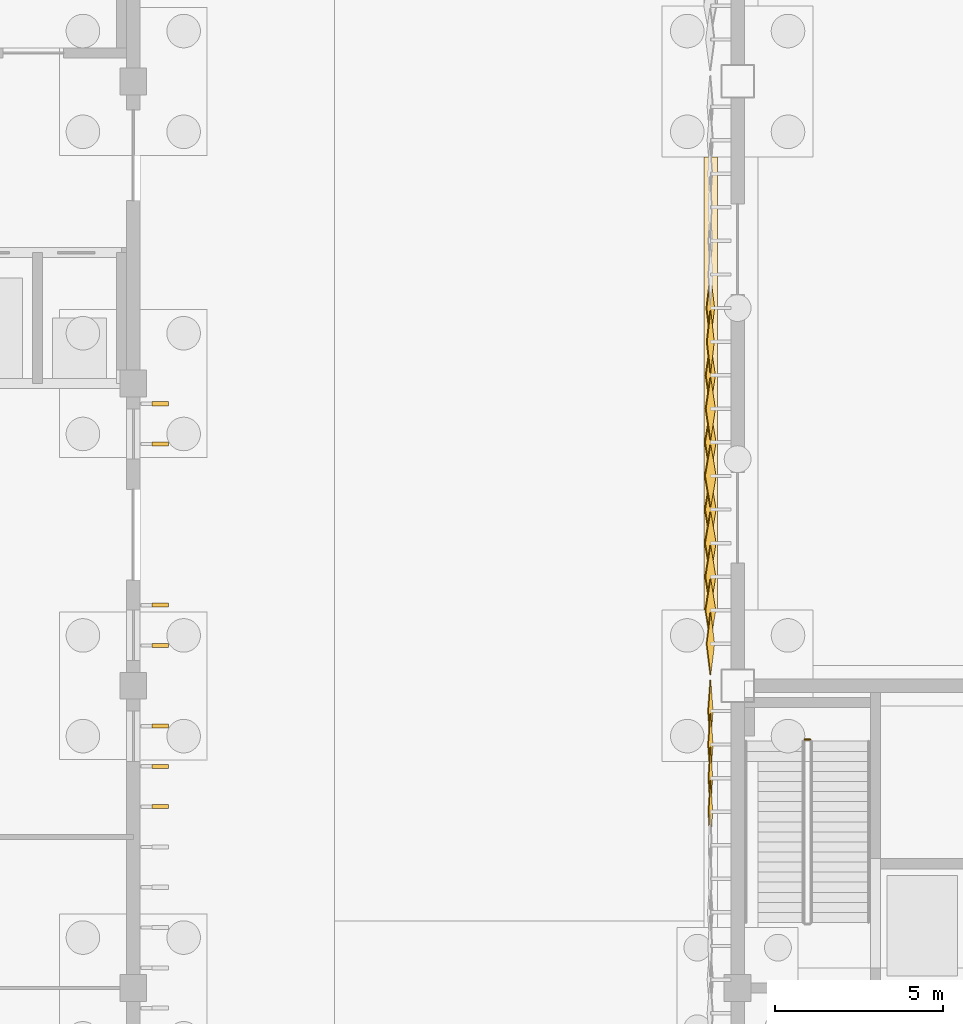
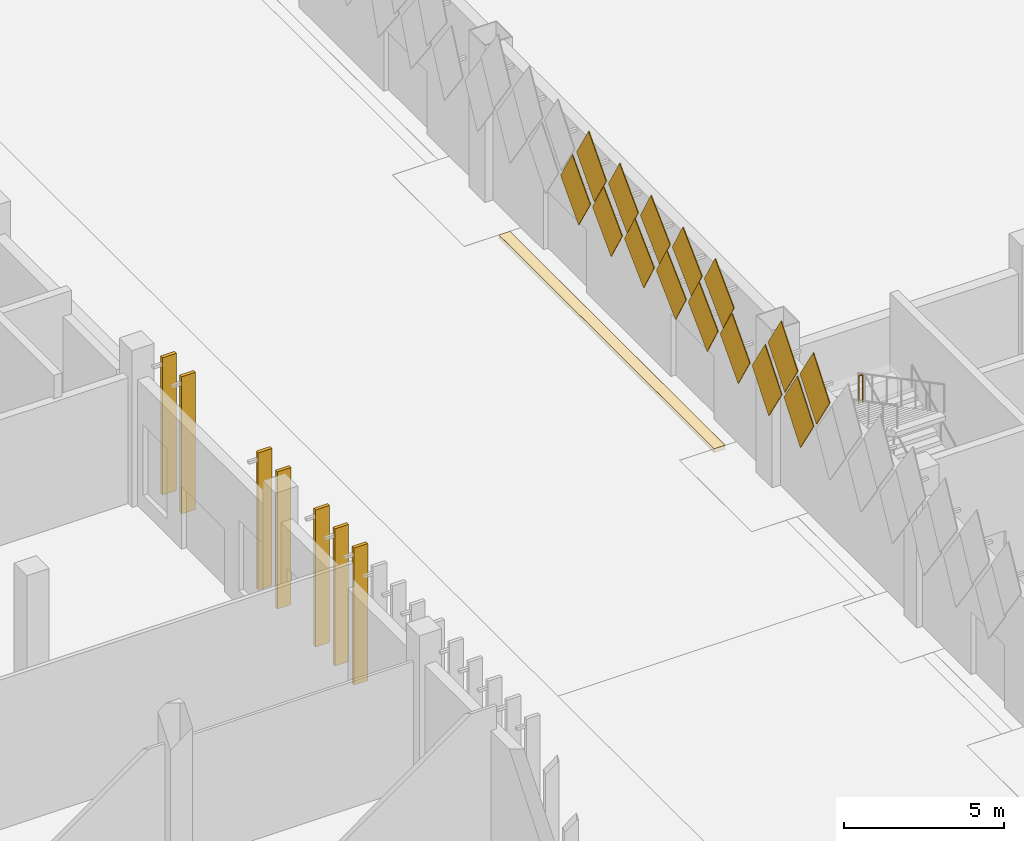
# One storey, part 150 of 198: 23 coverings, 1 railing.
"""IFC4 building model written with IfcOpenShell, lengths in metres."""

from ifc_helpers import new_model, si_unit, direction, frame, origin, origin_2d, place, context, subcontext, project, spatial, polyline, rectangle, circle, outline, extrude, material, layer, layer_set, constituent, constituent_set, material_profile, profile_set, type_object, element, save


model = new_model("IFC4")

# Units and contexts
model_context = context("Model", 3, precision=1e-05, world=origin(), true_north=direction((0.0, 1.0)))
body_context = subcontext(model_context, "Body", "Model", "MODEL_VIEW")
ifc_project = project(units=[si_unit("LENGTHUNIT", "METRE"), si_unit("AREAUNIT", "SQUARE_METRE"), si_unit("VOLUMEUNIT", "CUBIC_METRE"), si_unit("PLANEANGLEUNIT", "RADIAN"), si_unit("MASSUNIT", "GRAM", prefix="KILO")], contexts=[model_context])

# Site, building, storey
site_placement = place(None, origin())
site = spatial("IfcSite", under=ifc_project, at=site_placement, CompositionType="ELEMENT")
building_placement = place(site_placement, origin())
building = spatial("IfcBuilding", under=site, at=building_placement, Name="Opaline Strait Convention Centre", CompositionType="ELEMENT")
storey_placement = place(building_placement, origin())
storey = spatial("IfcBuildingStorey", under=building, at=storey_placement, Name="L00", CompositionType="ELEMENT", Elevation=0.0)

# Coverings
ifc_material_1 = material(Name="White ceramic-faced aluminium tile", Category="aluminium")
ifc_material_profile_1 = material_profile(ifc_material_1, outline(polyline([(0.927978515625, 0.0), (0.0, 1.39208984375), (-0.927978515625, 0.0), (0.0, -1.39208984375), (0.927978515625, 0.0)])), Name="Diamond tile 1856x2784")
ifc_profile_set_1 = profile_set([ifc_material_profile_1], Name="White ceramic-faced aluminium tile")
covering_type_1 = type_object("IfcCoveringType", Name="Diamond wall tile 1856x2784x30 pivot 2 deg", PredefinedType="CLADDING", material=ifc_profile_set_1)
for number, where, z_axis, x_axis, name in (
    (1, (98.199951171875, 69.25, 4.39208984375), (-0.999174794796, 0.0, -0.040616861577), (0.0, -1.0, 0.0), "Wall tile XT04 W"),
    (2, (98.199951171875, 68.25, 5.89208984375), (-0.999174794796, 0.0, -0.040616861577), (0.0, -1.0, 0.0), "Wall tile XT04 W"),
):
    element("IfcCovering", number, at=place(storey_placement, frame(where, z_axis=z_axis, x_axis=x_axis)), inside=storey, type_object=covering_type_1, Name=name, PredefinedType="CLADDING", context=body_context, shape_type="SweptSolid", body=[
        extrude(outline(polyline([(0.927978515625, 0.0), (0.0, 1.39208984375), (-0.927978515625, 0.0), (0.0, -1.39208984375), (0.927978515625, 0.0)])), origin(), (0.0, 0.0, 1.0), 0.030029296875),
    ])
ifc_material_profile_2 = material_profile(ifc_material_1, outline(polyline([(0.927978515625, 0.0), (0.0, 1.39208984375), (-0.927978515625, 0.0), (0.0, -1.39208984375), (0.927978515625, 0.0)])), Name="Diamond tile 1856x2784")
ifc_profile_set_2 = profile_set([ifc_material_profile_2], Name="White ceramic-faced aluminium tile")
covering_type_2 = type_object("IfcCoveringType", Name="Diamond wall tile 1856x2784x30 pivot 2.5 deg", PredefinedType="CLADDING", material=ifc_profile_set_2)
for number, where, z_axis, x_axis, name in (
    (3, (98.199951171875, 71.25, 4.39208984375), (-0.998812351125, 0.0, -0.048722553713), (0.0, -1.0, 0.0), "Wall tile XT05 W"),
    (4, (98.199951171875, 70.25, 5.89208984375), (-0.998812351125, 0.0, -0.048722553713), (0.0, -1.0, 0.0), "Wall tile XT05 W"),
):
    element("IfcCovering", number, at=place(storey_placement, frame(where, z_axis=z_axis, x_axis=x_axis)), inside=storey, type_object=covering_type_2, Name=name, PredefinedType="CLADDING", context=body_context, shape_type="SweptSolid", body=[
        extrude(outline(polyline([(0.927978515625, 0.0), (0.0, 1.39208984375), (-0.927978515625, 0.0), (0.0, -1.39208984375), (0.927978515625, 0.0)])), origin(), (0.0, 0.0, 1.0), 0.030029296875),
    ])
ifc_material_profile_3 = material_profile(ifc_material_1, outline(polyline([(0.927978515625, 0.0), (0.0, 1.39208984375), (-0.927978515625, 0.0), (0.0, -1.39208984375), (0.927978515625, 0.0)])), Name="Diamond tile 1856x2784")
ifc_profile_set_3 = profile_set([ifc_material_profile_3], Name="White ceramic-faced aluminium tile")
covering_type_3 = type_object("IfcCoveringType", Name="Diamond wall tile 1856x2784x30 pivot 4 deg", PredefinedType="CLADDING", material=ifc_profile_set_3)
covering_1_placement = place(storey_placement, frame((98.199951171875, 82.25, 5.89208984375), z_axis=(-0.997290013252, 0.0, -0.073570574748), x_axis=(0.0, -1.0, 0.0)))
element("IfcCovering", 5, at=covering_1_placement, inside=storey, type_object=covering_type_3, Name="Wall tile XT08 W", PredefinedType="CLADDING", context=body_context, shape_type="SweptSolid", body=[
    extrude(outline(polyline([(0.927978515625, 0.0), (0.0, 1.39208984375), (-0.927978515625, 0.0), (0.0, -1.39208984375), (0.927978515625, 0.0)])), origin(), (0.0, 0.0, 1.0), 0.02978515625),
])
ifc_material_profile_4 = material_profile(ifc_material_1, outline(polyline([(0.927978515625, 0.0), (0.0, 1.39208984375), (-0.927978515625, 0.0), (0.0, -1.39208984375), (0.927978515625, 0.0)])), Name="Diamond tile 1856x2784")
ifc_profile_set_4 = profile_set([ifc_material_profile_4], Name="White ceramic-faced aluminium tile")
covering_type_4 = type_object("IfcCoveringType", Name="Diamond wall tile 1856x2784x30 pivot 4.5 deg", PredefinedType="CLADDING", material=ifc_profile_set_4)
for number, where, z_axis, x_axis, name in (
    (6, (98.199951171875, 83.25, 4.39208984375), (-0.996657521232, 0.0, -0.081693239445), (0.0, -1.0, 0.0), "Wall tile XT09 W"),
    (7, (98.199951171875, 73.25, 4.39208984375), (-0.996657521232, 0.0, -0.081693239445), (0.0, -1.0, 0.0), "Wall tile XT09 W"),
):
    element("IfcCovering", number, at=place(storey_placement, frame(where, z_axis=z_axis, x_axis=x_axis)), inside=storey, type_object=covering_type_4, Name=name, PredefinedType="CLADDING", context=body_context, shape_type="SweptSolid", body=[
        extrude(outline(polyline([(0.927978515625, 0.0), (0.0, 1.39208984375), (-0.927978515625, 0.0), (0.0, -1.39208984375), (0.927978515625, 0.0)])), origin(), (0.0, 0.0, 1.0), 0.02978515625),
    ])
ifc_material_profile_5 = material_profile(ifc_material_1, outline(polyline([(0.927978515625, 0.0), (0.0, 1.39208984375), (-0.927978515625, 0.0), (0.0, -1.39208984375), (0.927978515625, 0.0)])), Name="Diamond tile 1856x2784")
ifc_profile_set_5 = profile_set([ifc_material_profile_5], Name="White ceramic-faced aluminium tile")
covering_type_5 = type_object("IfcCoveringType", Name="Diamond wall tile 1856x2784x30 pivot 5.5 deg", PredefinedType="CLADDING", material=ifc_profile_set_5)
for number, where, z_axis, x_axis, name in (
    (8, (98.199951171875, 81.25, 4.39208984375), (-0.995197410875, 0.0, -0.097888269922), (0.0, -1.0, 0.0), "Wall tile XT11 W"),
    (9, (98.199951171875, 80.25, 5.89208984375), (-0.995197410875, 0.0, -0.097888269922), (0.0, -1.0, 0.0), "Wall tile XT11 W"),
):
    element("IfcCovering", number, at=place(storey_placement, frame(where, z_axis=z_axis, x_axis=x_axis)), inside=storey, type_object=covering_type_5, Name=name, PredefinedType="CLADDING", context=body_context, shape_type="SweptSolid", body=[
        extrude(outline(polyline([(0.927978515625, 0.0), (0.0, 1.39208984375), (-0.927978515625, 0.0), (0.0, -1.39208984375), (0.927978515625, 0.0)])), origin(), (0.0, 0.0, 1.0), 0.030029296875),
    ])
ifc_material_profile_6 = material_profile(ifc_material_1, outline(polyline([(0.927978515625, 0.0), (0.0, 1.39208984375), (-0.927978515625, 0.0), (0.0, -1.39208984375), (0.927978515625, 0.0)])), Name="Diamond tile 1856x2784")
ifc_profile_set_6 = profile_set([ifc_material_profile_6], Name="White ceramic-faced aluminium tile")
covering_type_6 = type_object("IfcCoveringType", Name="Diamond wall tile 1856x2784x30 pivot 6 deg", PredefinedType="CLADDING", material=ifc_profile_set_6)
for number, where, z_axis, x_axis, name in (
    (10, (98.199951171875, 75.25, 4.39208984375), (-0.994370656274, 0.0, -0.105957528947), (0.0, -1.0, 0.0), "Wall tile XT12 W"),
    (11, (98.199951171875, 74.25, 5.89208984375), (-0.994370656274, 0.0, -0.105957528947), (0.0, -1.0, 0.0), "Wall tile XT12 W"),
):
    element("IfcCovering", number, at=place(storey_placement, frame(where, z_axis=z_axis, x_axis=x_axis)), inside=storey, type_object=covering_type_6, Name=name, PredefinedType="CLADDING", context=body_context, shape_type="SweptSolid", body=[
        extrude(outline(polyline([(0.927978515625, 0.0), (0.0, 1.39208984375), (-0.927978515625, 0.0), (0.0, -1.39208984375), (0.927978515625, 0.0)])), origin(), (0.0, 0.0, 1.0), 0.030029296875),
    ])
ifc_material_profile_7 = material_profile(ifc_material_1, outline(polyline([(0.927978515625, 0.0), (0.0, 1.39208984375), (-0.927978515625, 0.0), (0.0, -1.39208984375), (0.927978515625, 0.0)])), Name="Diamond tile 1856x2784")
ifc_profile_set_7 = profile_set([ifc_material_profile_7], Name="White ceramic-faced aluminium tile")
covering_type_7 = type_object("IfcCoveringType", Name="Diamond wall tile 1856x2784x30 pivot 6.5 deg", PredefinedType="CLADDING", material=ifc_profile_set_7)
for number, where, z_axis, x_axis, name in (
    (12, (98.199951171875, 79.25, 4.39208984375), (-0.993480071526, 0.0, -0.114005909847), (0.0, -1.0, 0.0), "Wall tile XT13 W"),
    (13, (98.199951171875, 77.25, 4.39208984375), (-0.993480071526, 0.0, -0.114005909847), (0.0, -1.0, 0.0), "Wall tile XT13 W"),
    (14, (98.199951171875, 78.25, 5.89208984375), (-0.993480071526, 0.0, -0.114005909847), (0.0, -1.0, 0.0), "Wall tile XT13 W"),
    (15, (98.199951171875, 76.25, 5.89208984375), (-0.993480071526, 0.0, -0.114005909847), (0.0, -1.0, 0.0), "Wall tile XT13 W"),
):
    element("IfcCovering", number, at=place(storey_placement, frame(where, z_axis=z_axis, x_axis=x_axis)), inside=storey, type_object=covering_type_7, Name=name, PredefinedType="CLADDING", context=body_context, shape_type="SweptSolid", body=[
        extrude(outline(polyline([(0.927978515625, 0.0), (0.0, 1.39208984375), (-0.927978515625, 0.0), (0.0, -1.39208984375), (0.927978515625, 0.0)])), origin(), (0.0, 0.0, 1.0), 0.030029296875),
    ])
ifc_material_2 = material(Name="Concrete C30 exposed aggregate", Category="concrete")
ifc_layer_1 = layer(ifc_material_2, 0.14990234375)
ifc_layer_set_1 = layer_set([ifc_layer_1], Name="Concrete C30 exposed aggregate")
covering_type_8 = type_object("IfcCoveringType", Name="Site paving 150", PredefinedType="FLOORING", material=ifc_layer_set_1)
covering_2_placement = place(storey_placement, frame((0.0, 0.0, -0.14990234375)))
element("IfcCovering", 16, at=covering_2_placement, inside=storey, type_object=covering_type_8, Name="Site paving surfacing", PredefinedType="FLOORING", context=body_context, shape_type="SweptSolid", body=[
    extrude(outline(polyline([(98.39501953125, 87.7451171875), (98.0, 87.7451171875), (98.0, 74.2548828125), (98.39501953125, 74.2548828125), (98.39501953125, 87.7451171875)])), origin(), (0.0, 0.0, 1.0), 0.14990234375),
])

# Railing
ifc_material_3 = material(Name="Steel Q235B", Category="steel")
ifc_constituent_1 = constituent(ifc_material_3, Name="Frame")
ifc_material_4 = material(Name="Safety glass, bonded interlayer", Category="glass")
ifc_constituent_2 = constituent(ifc_material_4, Name="Infill")
ifc_constituent_set = constituent_set(constituents=[ifc_constituent_1, ifc_constituent_2], Name="Steel Q235B, Safety glass, bonded interlayer")
railing_type = type_object("IfcRailingType", Name="Stair guard 1100 steel and glass", PredefinedType="GUARDRAIL", material=ifc_constituent_set)
railing_placement = place(storey_placement, frame((101.14990234375, 70.39990234375, 3.0)))
element("IfcRailing", 17, at=railing_placement, inside=storey, type_object=railing_type, Name="L00 XST1 stair guard 2", PredefinedType="GUARDRAIL", context=body_context, shape_type="SweptSolid", body=[
    extrude(circle(Radius=0.02392578125, at=origin_2d()), frame((0.0, 0.0, 1.076171875), z_axis=(-1.0, 0.0, 0.0), x_axis=(0.0, -1.0, 0.0)), (0.0, 0.0, 1.0), 0.14990234375),
    extrude(circle(Radius=0.02099609375, at=origin_2d()), origin(), (0.0, 0.0, 1.0), 1.052001953125),
    extrude(circle(Radius=0.02099609375, at=origin_2d()), frame((-0.14990234375, 0.0, 0.0)), (0.0, 0.0, 1.0), 1.052001953125),
])

# Coverings
ifc_material_5 = material(Name="Powder-coated white aluminium", Category="aluminium")
ifc_layer_2 = layer(ifc_material_5, 0.1201171875)
ifc_layer_set_2 = layer_set([ifc_layer_2], Name="Powder-coated white aluminium")
covering_type_9 = type_object("IfcCoveringType", Name="Storm louvre fin 120x500x5250", PredefinedType="CLADDING", material=ifc_layer_set_2)
for number, where, z_axis, x_axis, name in (
    (18, (81.800048828125, 68.39990234375, 0.300048828125), (0.0, 0.0, 1.0), (1.0, 0.0, 0.0), "Storm louvre fin E L00"),
    (19, (81.800048828125, 69.60009765625, 0.300048828125), (0.0, 0.0, 1.0), (1.0, 0.0, 0.0), "Storm louvre fin E L00"),
    (20, (81.800048828125, 70.800048828125, 0.300048828125), (0.0, 0.0, 1.0), (1.0, 0.0, 0.0), "Storm louvre fin E L00"),
    (21, (81.800048828125, 73.199951171875, 0.300048828125), (0.0, 0.0, 1.0), (1.0, 0.0, 0.0), "Storm louvre fin E L00"),
    (22, (81.800048828125, 74.39990234375, 0.300048828125), (0.0, 0.0, 1.0), (1.0, 0.0, 0.0), "Storm louvre fin E L00"),
    (23, (81.800048828125, 79.199951171875, 0.300048828125), (0.0, 0.0, 1.0), (1.0, 0.0, 0.0), "Storm louvre fin E L00"),
    (24, (81.800048828125, 80.39990234375, 0.300048828125), (0.0, 0.0, 1.0), (1.0, 0.0, 0.0), "Storm louvre fin E L00"),
):
    element("IfcCovering", number, at=place(storey_placement, frame(where, z_axis=z_axis, x_axis=x_axis)), inside=storey, type_object=covering_type_9, Name=name, PredefinedType="CLADDING", context=body_context, shape_type="SweptSolid", body=[
        extrude(rectangle(XDim=0.5, YDim=0.1201171875, at=origin_2d()), origin(), (0.0, 0.0, 1.0), 5.25),
    ])

save(model, "model.ifc")
